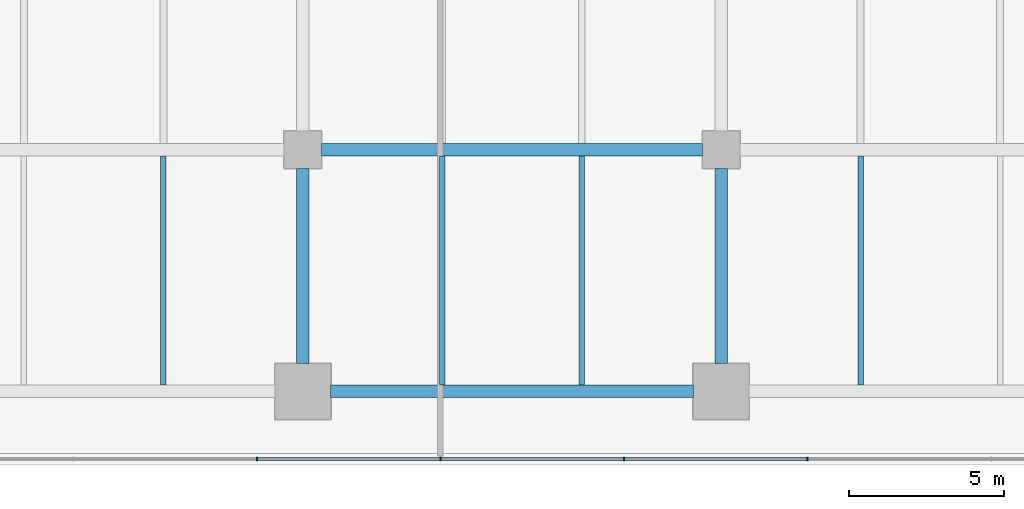
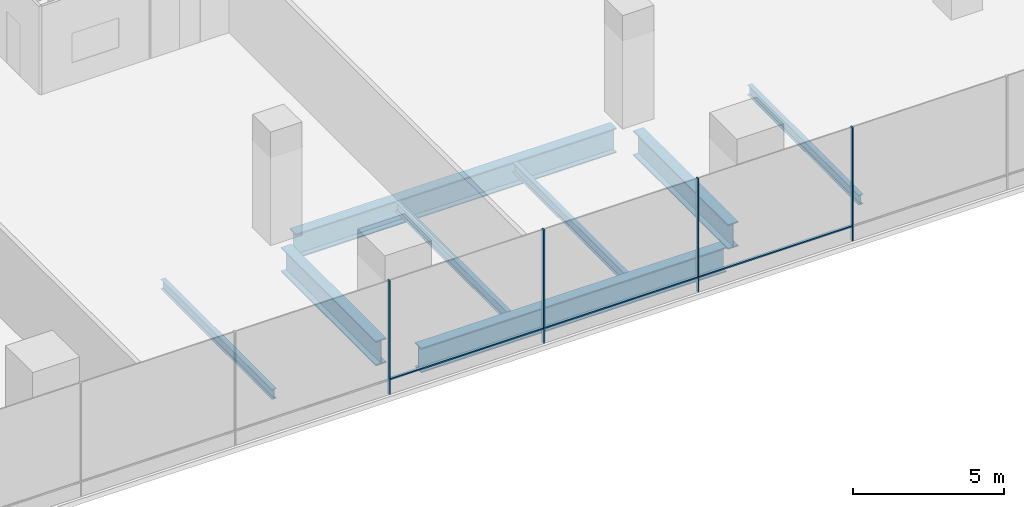
# One storey, part 6 of 29: 8 beams, 7 members, 1 element without a shape of its own.
"""IFC4 building model written with IfcOpenShell, lengths in metres."""

from ifc_helpers import new_model, si_unit, direction, frame, origin, origin_2d, place, context, subcontext, project, spatial, rectangle, i_section, extrude, material, layer, layer_set, material_profile, profile_set, type_object, element, aggregate, save


model = new_model("IFC4")

# Units and contexts
model_context = context("Model", 3, precision=1e-05, world=origin(), true_north=direction((0.0, 1.0)))
body_context = subcontext(model_context, "Body", "Model", "MODEL_VIEW")
ifc_project = project(units=[si_unit("LENGTHUNIT", "METRE"), si_unit("AREAUNIT", "SQUARE_METRE"), si_unit("VOLUMEUNIT", "CUBIC_METRE"), si_unit("PLANEANGLEUNIT", "RADIAN"), si_unit("MASSUNIT", "GRAM", prefix="KILO")], contexts=[model_context])

# Site, building, storey
site_placement = place(None, origin())
site = spatial("IfcSite", under=ifc_project, at=site_placement, CompositionType="ELEMENT")
building_placement = place(site_placement, origin())
building = spatial("IfcBuilding", under=site, at=building_placement, Name="Rattan Terrace Tower", CompositionType="ELEMENT")
storey_placement = place(building_placement, frame((0.0, 0.0, 12.60009765625)))
storey = spatial("IfcBuildingStorey", under=building, at=storey_placement, Name="L02", CompositionType="ELEMENT", Elevation=12.60009765625)

# Beams
ifc_material_1 = material(Name="Steel S355", Category="steel")
ifc_material_profile_1 = material_profile(ifc_material_1, i_section(OverallWidth=0.179931640625, OverallDepth=0.39990234375, WebThickness=0.008544921875, FlangeThickness=0.013427734375, FilletRadius=0.02099609375, at=origin_2d()), Name="IPE 400")
ifc_profile_set_1 = profile_set([ifc_material_profile_1], Name="Steel S355")
beam_type_1 = type_object("IfcBeamType", Name="Frame floor beam IPE 400", PredefinedType="JOIST", material=ifc_profile_set_1)
for number, where, z_axis, x_axis, name in (
    (1, (-4.5, -34.699951171875, -0.400146484375), (0.0, 1.0, 0.0), (-1.0, 0.0, 0.0), "bm-L02-007"),
    (2, (4.5, -34.699951171875, -0.400146484375), (0.0, 1.0, 0.0), (-1.0, 0.0, 0.0), "bm-L02-008"),
    (3, (9.0, -34.699951171875, -0.400146484375), (0.0, 1.0, 0.0), (-1.0, 0.0, 0.0), "bm-L02-009"),
    (4, (18.0, -34.699951171875, -0.400146484375), (0.0, 1.0, 0.0), (-1.0, 0.0, 0.0), "bm-L02-010"),
):
    element("IfcBeam", number, at=place(storey_placement, frame(where, z_axis=z_axis, x_axis=x_axis)), inside=storey, type_object=beam_type_1, Name=name, PredefinedType="JOIST", context=body_context, shape_type="SweptSolid", body=[
        extrude(i_section(OverallWidth=0.179931640625, OverallDepth=0.39990234375, WebThickness=0.008544921875, FlangeThickness=0.013427734375, FilletRadius=0.02099609375, at=origin_2d()), origin(), (0.0, 0.0, 1.0), 7.39990234375),
    ])
ifc_material_2 = material(Name="Steel S460", Category="steel")
ifc_material_profile_2 = material_profile(ifc_material_2, i_section(OverallWidth=0.39990234375, OverallDepth=1.0, WebThickness=0.01806640625, FlangeThickness=0.044921875, at=origin_2d()), Name="PG 1000x400-18-45")
ifc_profile_set_2 = profile_set([ifc_material_profile_2], Name="Steel S460")
beam_type_2 = type_object("IfcBeamType", Name="Frame podium girder PG 1000x400-18-45", PredefinedType="USERDEFINED", material=ifc_profile_set_2)
beam_1_placement = place(storey_placement, frame((0.89990234375, -34.89990234375, -0.7001953125), z_axis=(1.0, 0.0, 0.0), x_axis=(0.0, 1.0, 0.0)))
element("IfcBeam", 5, at=beam_1_placement, inside=storey, type_object=beam_type_2, Name="gdr-L02-004", ObjectType="PODIUM GIRDER", PredefinedType="USERDEFINED", context=body_context, shape_type="SweptSolid", body=[
    extrude(i_section(OverallWidth=0.39990234375, OverallDepth=1.0, WebThickness=0.01806640625, FlangeThickness=0.044921875, at=origin_2d()), origin(), (0.0, 0.0, 1.0), 11.7001953125),
])
for number, where, z_axis, x_axis, name in (
    (6, (0.0, -34.0, -0.7001953125), (0.0, 1.0, 0.0), (-1.0, 0.0, 0.0), "gdr-L02-010"),
    (7, (13.5, -34.0, -0.7001953125), (0.0, 1.0, 0.0), (-1.0, 0.0, 0.0), "gdr-L02-011"),
):
    element("IfcBeam", number, at=place(storey_placement, frame(where, z_axis=z_axis, x_axis=x_axis)), inside=storey, type_object=beam_type_2, Name=name, ObjectType="PODIUM GIRDER", PredefinedType="USERDEFINED", context=body_context, shape_type="SweptSolid", body=[
        extrude(i_section(OverallWidth=0.39990234375, OverallDepth=1.0, WebThickness=0.01806640625, FlangeThickness=0.044921875, at=origin_2d()), origin(), (0.0, 0.0, 1.0), 6.300048828125),
    ])
beam_2_placement = place(storey_placement, frame((0.60009765625, -27.10009765625, -0.7001953125), z_axis=(1.0, 0.0, 0.0), x_axis=(0.0, 1.0, 0.0)))
element("IfcBeam", 8, at=beam_2_placement, inside=storey, type_object=beam_type_2, Name="gdr-L02-017", ObjectType="PODIUM GIRDER", PredefinedType="USERDEFINED", context=body_context, shape_type="SweptSolid", body=[
    extrude(i_section(OverallWidth=0.39990234375, OverallDepth=1.0, WebThickness=0.01806640625, FlangeThickness=0.044921875, at=origin_2d()), origin(), (0.0, 0.0, 1.0), 12.2998046875),
])

# Curtain wall, members
ifc_material_3 = material(Name="Aluminium and glass", Category="aluminium")
ifc_layer = layer(ifc_material_3, 0.1201171875)
ifc_layer_set = layer_set([ifc_layer], Name="Station Storefront Curtain Wall")
curtain_wall_type = type_object("IfcCurtainWallType", Name="Station Storefront Curtain Wall", PredefinedType="NOTDEFINED", material=ifc_layer_set)
curtain_wall_placement = place(storey_placement, origin())
curtain_wall = element("IfcCurtainWall", 9, at=curtain_wall_placement, inside=storey, type_object=curtain_wall_type, Name="Storefront curtain wall L02-4", PredefinedType="NOTDEFINED")
ifc_material_4 = material(Name="Aluminium", Category="aluminium")
ifc_material_profile_3 = material_profile(ifc_material_4, rectangle(XDim=0.050048828125, YDim=0.1201171875, at=origin_2d()), Name="Aluminium 50x120")
ifc_profile_set_3 = profile_set([ifc_material_profile_3], Name="Aluminium")
member_type_1 = type_object("IfcMemberType", Name="Storefront CW Mullion 50x120", PredefinedType="MULLION", material=ifc_profile_set_3)
member_1_placement = place(storey_placement, frame((-1.47998046875, -37.080078125, 0.0), z_axis=(0.0, 0.0, 1.0), x_axis=(1.0, 0.0, 0.0)))
member_1 = element("IfcMember", 10, at=member_1_placement, type_object=member_type_1, Name="Mullion cwl-L02-004.7", PredefinedType="MULLION", context=body_context, shape_type="SweptSolid", body=[
    extrude(rectangle(XDim=0.050048828125, YDim=0.1201171875, at=origin_2d()), origin(), (0.0, 0.0, 1.0), 4.599853515625),
])
member_2_placement = place(storey_placement, frame((4.43994140625, -37.080078125, 0.0), z_axis=(0.0, 0.0, 1.0), x_axis=(1.0, 0.0, 0.0)))
member_2 = element("IfcMember", 11, at=member_2_placement, type_object=member_type_1, Name="Mullion cwl-L02-004.8", PredefinedType="MULLION", context=body_context, shape_type="SweptSolid", body=[
    extrude(rectangle(XDim=0.050048828125, YDim=0.1201171875, at=origin_2d()), origin(), (0.0, 0.0, 1.0), 4.599853515625),
])
member_3_placement = place(storey_placement, frame((10.360107421875, -37.080078125, 0.0), z_axis=(0.0, 0.0, 1.0), x_axis=(1.0, 0.0, 0.0)))
member_3 = element("IfcMember", 12, at=member_3_placement, type_object=member_type_1, Name="Mullion cwl-L02-004.9", PredefinedType="MULLION", context=body_context, shape_type="SweptSolid", body=[
    extrude(rectangle(XDim=0.050048828125, YDim=0.1201171875, at=origin_2d()), origin(), (0.0, 0.0, 1.0), 4.599853515625),
])
member_4_placement = place(storey_placement, frame((16.280029296875, -37.080078125, 0.0), z_axis=(0.0, 0.0, 1.0), x_axis=(1.0, 0.0, 0.0)))
member_4 = element("IfcMember", 13, at=member_4_placement, type_object=member_type_1, Name="Mullion cwl-L02-004.10", PredefinedType="MULLION", context=body_context, shape_type="SweptSolid", body=[
    extrude(rectangle(XDim=0.050048828125, YDim=0.1201171875, at=origin_2d()), origin(), (0.0, 0.0, 1.0), 4.599853515625),
])
ifc_material_5 = material(Name="Aluminium", Category="aluminium")
ifc_material_profile_4 = material_profile(ifc_material_5, rectangle(XDim=0.10009765625, YDim=0.050048828125, at=origin_2d()), Name="Aluminium 100x50")
ifc_profile_set_4 = profile_set([ifc_material_profile_4], Name="Aluminium")
member_type_2 = type_object("IfcMemberType", Name="Storefront CW Transom 100x50", PredefinedType="USERDEFINED", material=ifc_profile_set_4)
member_5_placement = place(storey_placement, frame((-1.455078125, -37.080078125, 0.599853515625), z_axis=(1.0, 0.0, 0.0), x_axis=(0.0, 1.0, 0.0)))
member_5 = element("IfcMember", 14, at=member_5_placement, type_object=member_type_2, Name="Transom cwl-L02-004.7", ObjectType="TRANSOM", PredefinedType="USERDEFINED", context=body_context, shape_type="SweptSolid", body=[
    extrude(rectangle(XDim=0.10009765625, YDim=0.050048828125, at=origin_2d()), origin(), (0.0, 0.0, 1.0), 5.8701171875),
])
member_6_placement = place(storey_placement, frame((4.465087890625, -37.080078125, 0.599853515625), z_axis=(1.0, 0.0, 0.0), x_axis=(0.0, 1.0, 0.0)))
member_6 = element("IfcMember", 15, at=member_6_placement, type_object=member_type_2, Name="Transom cwl-L02-004.8", ObjectType="TRANSOM", PredefinedType="USERDEFINED", context=body_context, shape_type="SweptSolid", body=[
    extrude(rectangle(XDim=0.10009765625, YDim=0.050048828125, at=origin_2d()), origin(), (0.0, 0.0, 1.0), 5.869873046875),
])
member_7_placement = place(storey_placement, frame((10.385009765625, -37.080078125, 0.599853515625), z_axis=(1.0, 0.0, 0.0), x_axis=(0.0, 1.0, 0.0)))
member_7 = element("IfcMember", 16, at=member_7_placement, type_object=member_type_2, Name="Transom cwl-L02-004.9", ObjectType="TRANSOM", PredefinedType="USERDEFINED", context=body_context, shape_type="SweptSolid", body=[
    extrude(rectangle(XDim=0.10009765625, YDim=0.050048828125, at=origin_2d()), origin(), (0.0, 0.0, 1.0), 5.869873046875),
])
aggregate(curtain_wall, [member_1, member_2, member_3, member_4, member_5, member_6, member_7])

save(model, "model.ifc")
